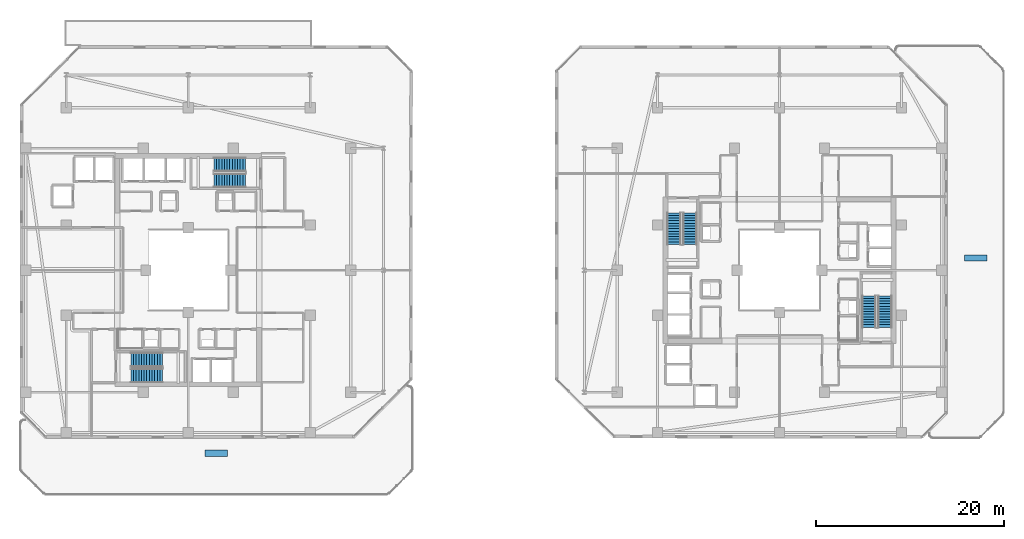
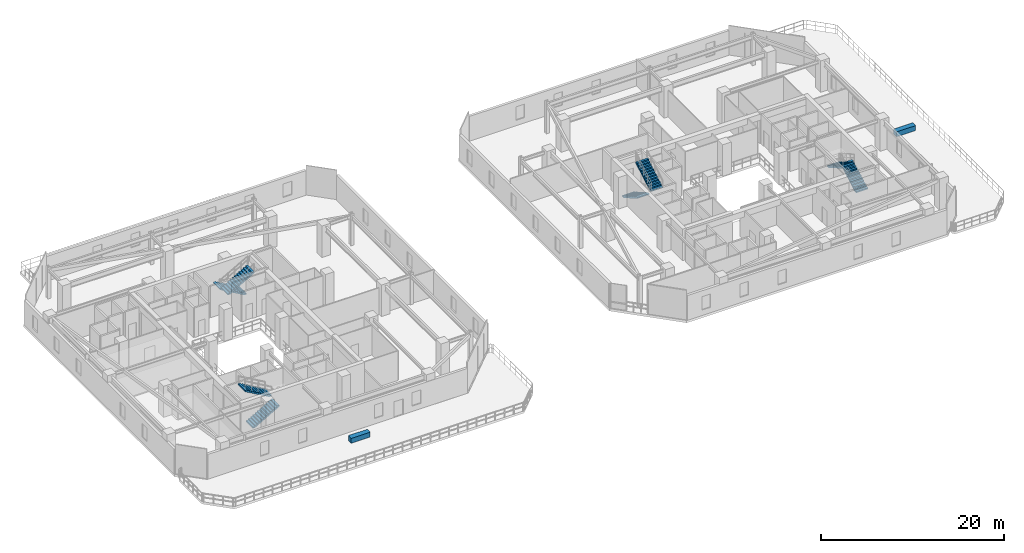
# One storey, part 27 of 33: 8 stair flights, 2 discrete accessories, 4 elements without a shape of their own.
"""IFC4 building model written with IfcOpenShell, lengths in metres."""

from ifc_helpers import new_model, si_unit, direction, frame, origin, origin_2d, place, context, subcontext, project, spatial, polyline, rectangle, outline, extrude, material, type_object, element, aggregate, save


model = new_model("IFC4")

# Units and contexts
model_context = context("Model", 3, precision=1e-05, world=origin(), true_north=direction((0.0, 1.0)))
body_context = subcontext(model_context, "Body", "Model", "MODEL_VIEW")
ifc_project = project(units=[si_unit("LENGTHUNIT", "METRE"), si_unit("AREAUNIT", "SQUARE_METRE"), si_unit("VOLUMEUNIT", "CUBIC_METRE"), si_unit("PLANEANGLEUNIT", "RADIAN"), si_unit("MASSUNIT", "GRAM", prefix="KILO")], contexts=[model_context])

# Site, building, storey
site_placement = place(None, origin())
site = spatial("IfcSite", under=ifc_project, at=site_placement, CompositionType="ELEMENT")
building_placement = place(site_placement, origin())
building = spatial("IfcBuilding", under=site, at=building_placement, Name="Thornwick Lancets Civic Towers", CompositionType="ELEMENT")
storey_placement = place(building_placement, frame((0.0, 0.0, 174.300048828125)))
storey = spatial("IfcBuildingStorey", under=building, at=storey_placement, Name="L46", CompositionType="ELEMENT", Elevation=174.300048828125)

# Stair, stair flights
ifc_material_1 = material(Name="Concrete C40/50", Category="concrete")
stair_type = type_object("IfcStairType", Name="STAIR_DL_4200", PredefinedType="HALF_TURN_STAIR", material=ifc_material_1)
stair_1_placement = place(storey_placement, origin())
stair_1 = element("IfcStair", 1, at=stair_1_placement, inside=storey, type_object=stair_type, Name="L46 Tower A South Exit Stair ST-A1", PredefinedType="HALF_TURN_STAIR")
stair_flight_type = type_object("IfcStairFlightType", Name="FLIGHT_4200", PredefinedType="STRAIGHT", material=ifc_material_1)
stair_flight_1_placement = place(storey_placement, frame((19.39990234375, 15.75, 0.0), z_axis=(0.0, 0.0, 1.0), x_axis=(1.0, 0.0, 0.0)))
stair_flight_1 = element("IfcStairFlight", 2, at=stair_flight_1_placement, type_object=stair_flight_type, Name="ST-A1 flight 1", NumberOfRisers=13, NumberOfTreads=12, PredefinedType="STRAIGHT", RiserHeight=0.161538462, TreadLength=0.28, context=body_context, shape_type="SweptSolid", body=[
    extrude(outline(polyline([(0.0, 0.0), (0.0, 0.16162109375), (0.280029296875, 0.16162109375), (0.280029296875, 0.322998046875), (0.56005859375, 0.322998046875), (0.56005859375, 0.484619140625), (0.840087890625, 0.484619140625), (0.840087890625, 0.646240234375), (1.1201171875, 0.646240234375), (1.1201171875, 0.8076171875), (1.39990234375, 0.8076171875), (1.39990234375, 0.96923828125), (1.679931640625, 0.96923828125), (1.679931640625, 1.130859375), (1.9599609375, 1.130859375), (1.9599609375, 1.292236328125), (2.239990234375, 1.292236328125), (2.239990234375, 1.453857421875), (2.52001953125, 1.453857421875), (2.52001953125, 1.615478515625), (2.800048828125, 1.615478515625), (2.800048828125, 1.77685546875), (3.080078125, 1.77685546875), (3.080078125, 1.9384765625), (3.360107421875, 1.9384765625), (3.360107421875, 2.10009765625), (3.360107421875, 1.765380859375), (0.300048828125, 0.0), (0.0, 0.0)])), frame((0.0, 0.75, 0.0), z_axis=(0.0, -1.0, 0.0), x_axis=(1.0, 0.0, 0.0)), (0.0, 0.0, 1.0), 1.5),
])
stair_flight_2_placement = place(storey_placement, frame((22.760009765625, 17.449951171875, 2.099853515625), z_axis=(0.0, 0.0, 1.0), x_axis=(-1.0, 0.0, 0.0)))
stair_flight_2 = element("IfcStairFlight", 3, at=stair_flight_2_placement, type_object=stair_flight_type, Name="ST-A1 flight 2", NumberOfRisers=13, NumberOfTreads=12, PredefinedType="STRAIGHT", RiserHeight=0.161538462, TreadLength=0.28, context=body_context, shape_type="SweptSolid", body=[
    extrude(outline(polyline([(0.0, 0.0), (0.0, 0.16162109375), (0.280029296875, 0.16162109375), (0.280029296875, 0.322998046875), (0.56005859375, 0.322998046875), (0.56005859375, 0.484619140625), (0.840087890625, 0.484619140625), (0.840087890625, 0.646240234375), (1.1201171875, 0.646240234375), (1.1201171875, 0.8076171875), (1.39990234375, 0.8076171875), (1.39990234375, 0.96923828125), (1.679931640625, 0.96923828125), (1.679931640625, 1.130859375), (1.9599609375, 1.130859375), (1.9599609375, 1.292236328125), (2.239990234375, 1.292236328125), (2.239990234375, 1.453857421875), (2.52001953125, 1.453857421875), (2.52001953125, 1.615478515625), (2.800048828125, 1.615478515625), (2.800048828125, 1.77685546875), (3.080078125, 1.77685546875), (3.080078125, 1.9384765625), (3.360107421875, 1.9384765625), (3.360107421875, 2.10009765625), (3.360107421875, 1.765380859375), (0.300048828125, 0.0), (0.0, 0.0)])), frame((0.0, 0.75, 0.0), z_axis=(0.0, -1.0, 0.0), x_axis=(1.0, 0.0, 0.0)), (0.0, 0.0, 1.0), 1.5),
])
aggregate(stair_1, [stair_flight_1, stair_flight_2])

stair_2_placement = place(storey_placement, origin())
stair_2 = element("IfcStair", 4, at=stair_2_placement, inside=storey, type_object=stair_type, Name="L46 Tower A North Exit Stair ST-A2", PredefinedType="HALF_TURN_STAIR")
stair_flight_3_placement = place(storey_placement, frame((31.60009765625, 38.25, 0.0), z_axis=(0.0, 0.0, 1.0), x_axis=(-1.0, 0.0, 0.0)))
stair_flight_3 = element("IfcStairFlight", 5, at=stair_flight_3_placement, type_object=stair_flight_type, Name="ST-A2 flight 1", NumberOfRisers=13, NumberOfTreads=12, PredefinedType="STRAIGHT", RiserHeight=0.161538462, TreadLength=0.28, context=body_context, shape_type="SweptSolid", body=[
    extrude(outline(polyline([(0.0, 0.0), (0.0, 0.16162109375), (0.280029296875, 0.16162109375), (0.280029296875, 0.322998046875), (0.56005859375, 0.322998046875), (0.56005859375, 0.484619140625), (0.840087890625, 0.484619140625), (0.840087890625, 0.646240234375), (1.1201171875, 0.646240234375), (1.1201171875, 0.8076171875), (1.39990234375, 0.8076171875), (1.39990234375, 0.96923828125), (1.679931640625, 0.96923828125), (1.679931640625, 1.130859375), (1.9599609375, 1.130859375), (1.9599609375, 1.292236328125), (2.239990234375, 1.292236328125), (2.239990234375, 1.453857421875), (2.52001953125, 1.453857421875), (2.52001953125, 1.615478515625), (2.800048828125, 1.615478515625), (2.800048828125, 1.77685546875), (3.080078125, 1.77685546875), (3.080078125, 1.9384765625), (3.360107421875, 1.9384765625), (3.360107421875, 2.10009765625), (3.360107421875, 1.765380859375), (0.300048828125, 0.0), (0.0, 0.0)])), frame((0.0, 0.75, 0.0), z_axis=(0.0, -1.0, 0.0), x_axis=(1.0, 0.0, 0.0)), (0.0, 0.0, 1.0), 1.5),
])
stair_flight_4_placement = place(storey_placement, frame((28.239990234375, 36.550048828125, 2.099853515625), z_axis=(0.0, 0.0, 1.0), x_axis=(1.0, 0.0, 0.0)))
stair_flight_4 = element("IfcStairFlight", 6, at=stair_flight_4_placement, type_object=stair_flight_type, Name="ST-A2 flight 2", NumberOfRisers=13, NumberOfTreads=12, PredefinedType="STRAIGHT", RiserHeight=0.161538462, TreadLength=0.28, context=body_context, shape_type="SweptSolid", body=[
    extrude(outline(polyline([(0.0, 0.0), (0.0, 0.16162109375), (0.280029296875, 0.16162109375), (0.280029296875, 0.322998046875), (0.56005859375, 0.322998046875), (0.56005859375, 0.484619140625), (0.840087890625, 0.484619140625), (0.840087890625, 0.646240234375), (1.1201171875, 0.646240234375), (1.1201171875, 0.8076171875), (1.39990234375, 0.8076171875), (1.39990234375, 0.96923828125), (1.679931640625, 0.96923828125), (1.679931640625, 1.130859375), (1.9599609375, 1.130859375), (1.9599609375, 1.292236328125), (2.239990234375, 1.292236328125), (2.239990234375, 1.453857421875), (2.52001953125, 1.453857421875), (2.52001953125, 1.615478515625), (2.800048828125, 1.615478515625), (2.800048828125, 1.77685546875), (3.080078125, 1.77685546875), (3.080078125, 1.9384765625), (3.360107421875, 1.9384765625), (3.360107421875, 2.10009765625), (3.360107421875, 1.765380859375), (0.300048828125, 0.0), (0.0, 0.0)])), frame((0.0, 0.75, 0.0), z_axis=(0.0, -1.0, 0.0), x_axis=(1.0, 0.0, 0.0)), (0.0, 0.0, 1.0), 1.5),
])
aggregate(stair_2, [stair_flight_3, stair_flight_4])

stair_3_placement = place(storey_placement, origin())
stair_3 = element("IfcStair", 7, at=stair_3_placement, inside=storey, type_object=stair_type, Name="L46 Tower B East Exit Stair ST-B1", PredefinedType="HALF_TURN_STAIR")
stair_flight_5_placement = place(storey_placement, frame((99.75, 20.89990234375, 0.0), z_axis=(0.0, 0.0, 1.0), x_axis=(0.0, 1.0, 0.0)))
stair_flight_5 = element("IfcStairFlight", 8, at=stair_flight_5_placement, type_object=stair_flight_type, Name="ST-B1 flight 1", NumberOfRisers=13, NumberOfTreads=12, PredefinedType="STRAIGHT", RiserHeight=0.161538462, TreadLength=0.28, context=body_context, shape_type="SweptSolid", body=[
    extrude(outline(polyline([(0.0, 0.0), (0.0, 0.16162109375), (0.280029296875, 0.16162109375), (0.280029296875, 0.322998046875), (0.56005859375, 0.322998046875), (0.56005859375, 0.484619140625), (0.840087890625, 0.484619140625), (0.840087890625, 0.646240234375), (1.1201171875, 0.646240234375), (1.1201171875, 0.8076171875), (1.39990234375, 0.8076171875), (1.39990234375, 0.96923828125), (1.679931640625, 0.96923828125), (1.679931640625, 1.130859375), (1.9599609375, 1.130859375), (1.9599609375, 1.292236328125), (2.239990234375, 1.292236328125), (2.239990234375, 1.453857421875), (2.52001953125, 1.453857421875), (2.52001953125, 1.615478515625), (2.800048828125, 1.615478515625), (2.800048828125, 1.77685546875), (3.080078125, 1.77685546875), (3.080078125, 1.9384765625), (3.360107421875, 1.9384765625), (3.360107421875, 2.10009765625), (3.360107421875, 1.765380859375), (0.300048828125, 0.0), (0.0, 0.0)])), frame((0.0, 0.75, 0.0), z_axis=(0.0, -1.0, 0.0), x_axis=(1.0, 0.0, 0.0)), (0.0, 0.0, 1.0), 1.5),
])
stair_flight_6_placement = place(storey_placement, frame((98.050048828125, 24.260009765625, 2.099853515625), z_axis=(0.0, 0.0, 1.0), x_axis=(0.0, -1.0, 0.0)))
stair_flight_6 = element("IfcStairFlight", 9, at=stair_flight_6_placement, type_object=stair_flight_type, Name="ST-B1 flight 2", NumberOfRisers=13, NumberOfTreads=12, PredefinedType="STRAIGHT", RiserHeight=0.161538462, TreadLength=0.28, context=body_context, shape_type="SweptSolid", body=[
    extrude(outline(polyline([(0.0, 0.0), (0.0, 0.16162109375), (0.280029296875, 0.16162109375), (0.280029296875, 0.322998046875), (0.56005859375, 0.322998046875), (0.56005859375, 0.484619140625), (0.840087890625, 0.484619140625), (0.840087890625, 0.646240234375), (1.1201171875, 0.646240234375), (1.1201171875, 0.8076171875), (1.39990234375, 0.8076171875), (1.39990234375, 0.96923828125), (1.679931640625, 0.96923828125), (1.679931640625, 1.130859375), (1.9599609375, 1.130859375), (1.9599609375, 1.292236328125), (2.239990234375, 1.292236328125), (2.239990234375, 1.453857421875), (2.52001953125, 1.453857421875), (2.52001953125, 1.615478515625), (2.800048828125, 1.615478515625), (2.800048828125, 1.77685546875), (3.080078125, 1.77685546875), (3.080078125, 1.9384765625), (3.360107421875, 1.9384765625), (3.360107421875, 2.10009765625), (3.360107421875, 1.765380859375), (0.300048828125, 0.0), (0.0, 0.0)])), frame((0.0, 0.75, 0.0), z_axis=(0.0, -1.0, 0.0), x_axis=(1.0, 0.0, 0.0)), (0.0, 0.0, 1.0), 1.5),
])
aggregate(stair_3, [stair_flight_5, stair_flight_6])

stair_4_placement = place(storey_placement, origin())
stair_4 = element("IfcStair", 10, at=stair_4_placement, inside=storey, type_object=stair_type, Name="L46 Tower B West Exit Stair ST-B2", PredefinedType="HALF_TURN_STAIR")
stair_flight_7_placement = place(storey_placement, frame((77.25, 33.10009765625, 0.0), z_axis=(0.0, 0.0, 1.0), x_axis=(0.0, -1.0, 0.0)))
stair_flight_7 = element("IfcStairFlight", 11, at=stair_flight_7_placement, type_object=stair_flight_type, Name="ST-B2 flight 1", NumberOfRisers=13, NumberOfTreads=12, PredefinedType="STRAIGHT", RiserHeight=0.161538462, TreadLength=0.28, context=body_context, shape_type="SweptSolid", body=[
    extrude(outline(polyline([(0.0, 0.0), (0.0, 0.16162109375), (0.280029296875, 0.16162109375), (0.280029296875, 0.322998046875), (0.56005859375, 0.322998046875), (0.56005859375, 0.484619140625), (0.840087890625, 0.484619140625), (0.840087890625, 0.646240234375), (1.1201171875, 0.646240234375), (1.1201171875, 0.8076171875), (1.39990234375, 0.8076171875), (1.39990234375, 0.96923828125), (1.679931640625, 0.96923828125), (1.679931640625, 1.130859375), (1.9599609375, 1.130859375), (1.9599609375, 1.292236328125), (2.239990234375, 1.292236328125), (2.239990234375, 1.453857421875), (2.52001953125, 1.453857421875), (2.52001953125, 1.615478515625), (2.800048828125, 1.615478515625), (2.800048828125, 1.77685546875), (3.080078125, 1.77685546875), (3.080078125, 1.9384765625), (3.360107421875, 1.9384765625), (3.360107421875, 2.10009765625), (3.360107421875, 1.765380859375), (0.300048828125, 0.0), (0.0, 0.0)])), frame((0.0, 0.75, 0.0), z_axis=(0.0, -1.0, 0.0), x_axis=(1.0, 0.0, 0.0)), (0.0, 0.0, 1.0), 1.5),
])
stair_flight_8_placement = place(storey_placement, frame((78.949951171875, 29.739990234375, 2.099853515625), z_axis=(0.0, 0.0, 1.0), x_axis=(0.0, 1.0, 0.0)))
stair_flight_8 = element("IfcStairFlight", 12, at=stair_flight_8_placement, type_object=stair_flight_type, Name="ST-B2 flight 2", NumberOfRisers=13, NumberOfTreads=12, PredefinedType="STRAIGHT", RiserHeight=0.161538462, TreadLength=0.28, context=body_context, shape_type="SweptSolid", body=[
    extrude(outline(polyline([(0.0, 0.0), (0.0, 0.16162109375), (0.280029296875, 0.16162109375), (0.280029296875, 0.322998046875), (0.56005859375, 0.322998046875), (0.56005859375, 0.484619140625), (0.840087890625, 0.484619140625), (0.840087890625, 0.646240234375), (1.1201171875, 0.646240234375), (1.1201171875, 0.8076171875), (1.39990234375, 0.8076171875), (1.39990234375, 0.96923828125), (1.679931640625, 0.96923828125), (1.679931640625, 1.130859375), (1.9599609375, 1.130859375), (1.9599609375, 1.292236328125), (2.239990234375, 1.292236328125), (2.239990234375, 1.453857421875), (2.52001953125, 1.453857421875), (2.52001953125, 1.615478515625), (2.800048828125, 1.615478515625), (2.800048828125, 1.77685546875), (3.080078125, 1.77685546875), (3.080078125, 1.9384765625), (3.360107421875, 1.9384765625), (3.360107421875, 2.10009765625), (3.360107421875, 1.765380859375), (0.300048828125, 0.0), (0.0, 0.0)])), frame((0.0, 0.75, 0.0), z_axis=(0.0, -1.0, 0.0), x_axis=(1.0, 0.0, 0.0)), (0.0, 0.0, 1.0), 1.5),
])
aggregate(stair_4, [stair_flight_7, stair_flight_8])

# Discrete accessories
ifc_material_2 = material(Name="Planted terracotta greenery planter", Category="masonry")
discrete_accessory_type = type_object("IfcDiscreteAccessoryType", Name="ACC_PLANTER_BOX", PredefinedType="USERDEFINED", material=ifc_material_2)
for number, where, z_axis, x_axis, name in (
    (13, (28.5, 7.483154296875, 0.0), (0.0, 0.0, 1.0), (1.0, 0.0, 0.0), "L46 Tower A Sky-Garden Planter 1"),
    (14, (109.409912109375, 28.290283203125, 0.0), (0.0, 0.0, 1.0), (1.0, 0.0, 0.0), "L46 Tower B Sky-Garden Planter 1"),
):
    element("IfcDiscreteAccessory", number, at=place(storey_placement, frame(where, z_axis=z_axis, x_axis=x_axis)), inside=storey, type_object=discrete_accessory_type, Name=name, ObjectType="PLANTER", PredefinedType="USERDEFINED", context=body_context, shape_type="SweptSolid", body=[
        extrude(rectangle(XDim=2.39990234375, YDim=0.64990234375, at=origin_2d()), origin(), (0.0, 0.0, 1.0), 0.64990234375),
    ])

save(model, "model.ifc")
